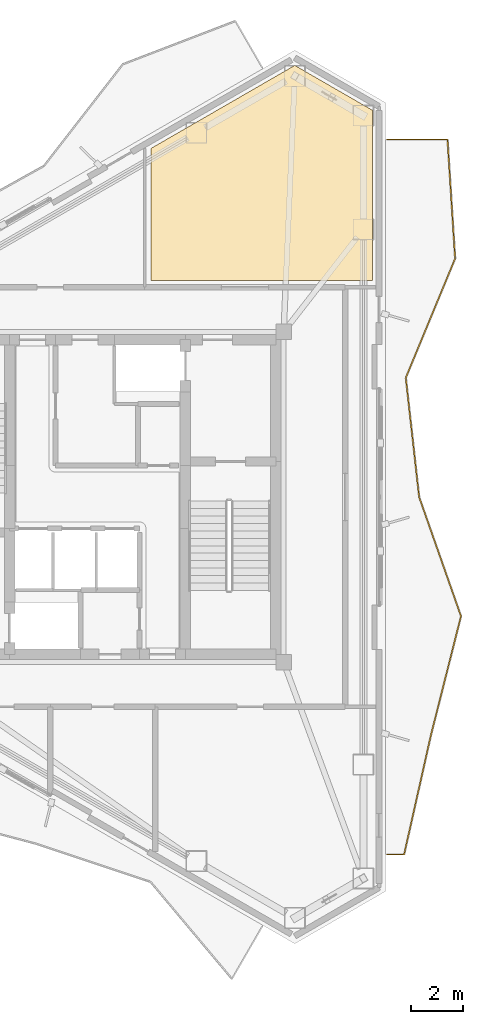
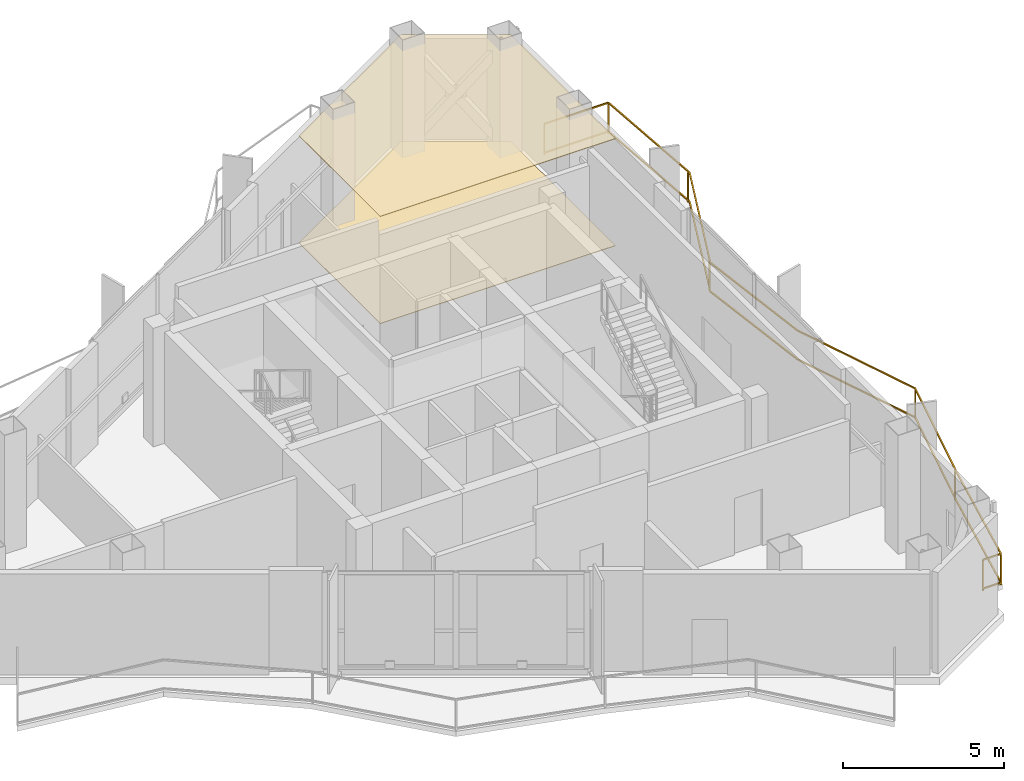
# One storey, part 14 of 14: 2 coverings, 1 railing.
"""IFC4 building model written with IfcOpenShell, lengths in metres."""

from ifc_helpers import new_model, si_unit, direction, frame, origin, origin_2d, place, context, subcontext, project, spatial, polyline, rectangle, outline, extrude, material, layer, layer_set, type_object, element, save


model = new_model("IFC4")

# Units and contexts
model_context = context("Model", 3, precision=1e-05, world=origin(), true_north=direction((0.0, 1.0)))
body_context = subcontext(model_context, "Body", "Model", "MODEL_VIEW")
ifc_project = project(units=[si_unit("LENGTHUNIT", "METRE"), si_unit("AREAUNIT", "SQUARE_METRE"), si_unit("VOLUMEUNIT", "CUBIC_METRE"), si_unit("PLANEANGLEUNIT", "RADIAN"), si_unit("MASSUNIT", "GRAM", prefix="KILO")], contexts=[model_context])

# Site, building, storey
site_placement = place(None, origin())
site = spatial("IfcSite", under=ifc_project, at=site_placement, CompositionType="ELEMENT")
building_placement = place(site_placement, origin())
building = spatial("IfcBuilding", under=site, at=building_placement, Name="Mersakhor Tower and Convention Hall", CompositionType="ELEMENT")
storey_placement = place(building_placement, frame((0.0, 0.0, 249.60009765625)))
storey = spatial("IfcBuildingStorey", under=building, at=storey_placement, Name="L70", CompositionType="ELEMENT", Elevation=249.60009765625)

# Coverings
ifc_material_1 = material(Name="Acoustic mineral-fibre suspended ceiling", Category="other")
ifc_layer_1 = layer(ifc_material_1, 0.02490234375)
ifc_layer_set_1 = layer_set([ifc_layer_1], Name="Acoustic mineral-fibre suspended ceiling")
covering_type_1 = type_object("IfcCoveringType", Name="COV-CLG-25", PredefinedType="CEILING", material=ifc_layer_set_1)
covering_1_placement = place(storey_placement, frame((0.0, 0.0, 4.059814453125)))
element("IfcCovering", 1, at=covering_1_placement, inside=storey, type_object=covering_type_1, Name="L70 Subtropical Palm Solarium Hall Acoustic Suspended Ceiling", PredefinedType="CEILING", context=body_context, shape_type="SweptSolid", body=[
    extrude(outline(polyline([(39.492919921875, 35.0), (31.050048828125, 35.0), (31.050048828125, 40.0498046875), (36.52490234375, 43.210205078125), (39.492919921875, 41.49755859375), (39.492919921875, 35.0)])), origin(), (0.0, 0.0, 1.0), 0.025146484375),
])
ifc_material_2 = material(Name="Polished porcelain tile flooring", Category="other")
ifc_layer_2 = layer(ifc_material_2, 0.02001953125)
ifc_layer_set_2 = layer_set([ifc_layer_2], Name="Polished porcelain tile flooring")
covering_type_2 = type_object("IfcCoveringType", Name="COV-FLR-20", PredefinedType="FLOORING", material=ifc_layer_set_2)
covering_2_placement = place(storey_placement, origin())
element("IfcCovering", 2, at=covering_2_placement, inside=storey, type_object=covering_type_2, Name="L70 Subtropical Palm Solarium Hall Porcelain Floor Finish", PredefinedType="FLOORING", context=body_context, shape_type="SweptSolid", body=[
    extrude(outline(polyline([(39.492919921875, 35.0), (31.050048828125, 35.0), (31.050048828125, 40.0498046875), (36.52490234375, 43.210205078125), (39.492919921875, 41.49755859375), (39.492919921875, 35.0)])), origin(), (0.0, 0.0, 1.0), 0.02001953125),
])

# Railing
ifc_material_3 = material(Name="Powder-coated galvanised steel and laminated glass balustrade", Category="steel")
railing_type = type_object("IfcRailingType", Name="RL-BAL-1200", PredefinedType="BALUSTRADE", material=ifc_material_3)
railing_placement = place(storey_placement, frame((40.042724609375, 13.114013671875, 0.0)))
element("IfcRailing", 3, at=railing_placement, inside=storey, type_object=railing_type, Name="L70 Sinusoidal Balcony Balustrade F2", PredefinedType="BALUSTRADE", context=body_context, shape_type="SweptSolid", body=[
    extrude(rectangle(XDim=0.048095703125, YDim=0.048095703125, at=origin_2d()), frame((0.0, 0.0, 1.17578125), z_axis=(1.0, 0.0, 0.0), x_axis=(0.0, 1.0, 0.0)), (0.0, 0.0, 1.0), 0.650146484375),
    extrude(rectangle(XDim=0.048095703125, YDim=0.048095703125, at=origin_2d()), frame((0.0, 0.0, 0.080078125), z_axis=(1.0, 0.0, 0.0), x_axis=(0.0, 1.0, 0.0)), (0.0, 0.0, 1.0), 0.650146484375),
    extrude(rectangle(XDim=0.048095703125, YDim=0.048095703125, at=origin_2d()), frame((0.650146484375, 0.0, 1.17578125), z_axis=(0.219221620107, 0.975675090016, 0.0), x_axis=(-0.975675090016, 0.219221620107, 0.0)), (0.0, 0.0, 1.0), 4.658447265625),
    extrude(rectangle(XDim=0.048095703125, YDim=0.048095703125, at=origin_2d()), frame((0.650146484375, 0.0, 0.080078125), z_axis=(0.219221620107, 0.975675090016, 0.0), x_axis=(-0.975675090016, 0.219221620107, 0.0)), (0.0, 0.0, 1.0), 4.658447265625),
    extrude(rectangle(XDim=0.048095703125, YDim=0.048095703125, at=origin_2d()), frame((1.67138671875, 4.545166015625, 1.17578125), z_axis=(0.245009899788, 0.969520576886, 0.0), x_axis=(-0.969520576886, 0.245009899788, 0.0)), (0.0, 0.0, 1.0), 4.688232421875),
    extrude(rectangle(XDim=0.048095703125, YDim=0.048095703125, at=origin_2d()), frame((1.67138671875, 4.545166015625, 0.080078125), z_axis=(0.245009899788, 0.969520576886, 0.0), x_axis=(-0.969520576886, 0.245009899788, 0.0)), (0.0, 0.0, 1.0), 4.688232421875),
    extrude(rectangle(XDim=0.048095703125, YDim=0.048095703125, at=origin_2d()), frame((2.820068359375, 9.090576171875, 1.17578125), z_axis=(-0.33137505091, 0.943499112684, 0.0), x_axis=(-0.943499112684, -0.33137505091, 0.0)), (0.0, 0.0, 1.0), 4.817626953125),
    extrude(rectangle(XDim=0.048095703125, YDim=0.048095703125, at=origin_2d()), frame((2.820068359375, 9.090576171875, 0.080078125), z_axis=(-0.33137505091, 0.943499112684, 0.0), x_axis=(-0.943499112684, -0.33137505091, 0.0)), (0.0, 0.0, 1.0), 4.817626953125),
    extrude(rectangle(XDim=0.048095703125, YDim=0.048095703125, at=origin_2d()), frame((1.2236328125, 13.635986328125, 1.17578125), z_axis=(-0.111345405852, 0.993781767088, 0.0), x_axis=(-0.993781767088, -0.111345405852, 0.0)), (0.0, 0.0, 1.0), 4.57373046875),
    extrude(rectangle(XDim=0.048095703125, YDim=0.048095703125, at=origin_2d()), frame((1.2236328125, 13.635986328125, 0.080078125), z_axis=(-0.111345405852, 0.993781767088, 0.0), x_axis=(-0.993781767088, -0.111345405852, 0.0)), (0.0, 0.0, 1.0), 4.57373046875),
    extrude(rectangle(XDim=0.048095703125, YDim=0.048095703125, at=origin_2d()), frame((0.71435546875, 18.181396484375, 1.17578125), z_axis=(0.382394166219, 0.923999297425, 0.0), x_axis=(-0.923999297425, 0.382394166219, 0.0)), (0.0, 0.0, 1.0), 4.919189453125),
    extrude(rectangle(XDim=0.048095703125, YDim=0.048095703125, at=origin_2d()), frame((0.71435546875, 18.181396484375, 0.080078125), z_axis=(0.382394166219, 0.923999297425, 0.0), x_axis=(-0.923999297425, 0.382394166219, 0.0)), (0.0, 0.0, 1.0), 4.919189453125),
    extrude(rectangle(XDim=0.048095703125, YDim=0.048095703125, at=origin_2d()), frame((2.595458984375, 22.726806640625, 1.17578125), z_axis=(-0.0637365032, 0.997966762052, 0.0), x_axis=(-0.997966762052, -0.0637365032, 0.0)), (0.0, 0.0, 1.0), 4.554443359375),
    extrude(rectangle(XDim=0.048095703125, YDim=0.048095703125, at=origin_2d()), frame((2.595458984375, 22.726806640625, 0.080078125), z_axis=(-0.0637365032, 0.997966762052, 0.0), x_axis=(-0.997966762052, -0.0637365032, 0.0)), (0.0, 0.0, 1.0), 4.554443359375),
    extrude(rectangle(XDim=0.048095703125, YDim=0.048095703125, at=origin_2d()), frame((2.30517578125, 27.27197265625, 1.17578125), z_axis=(-1.0, 0.0, 0.0), x_axis=(0.0, -1.0, 0.0)), (0.0, 0.0, 1.0), 2.30517578125),
    extrude(rectangle(XDim=0.048095703125, YDim=0.048095703125, at=origin_2d()), frame((2.30517578125, 27.27197265625, 0.080078125), z_axis=(-1.0, 0.0, 0.0), x_axis=(0.0, -1.0, 0.0)), (0.0, 0.0, 1.0), 2.30517578125),
    extrude(rectangle(XDim=0.0419921875, YDim=0.0419921875, at=origin_2d()), origin(), (0.0, 0.0, 1.0), 1.15185546875),
    extrude(rectangle(XDim=0.0419921875, YDim=0.0419921875, at=origin_2d()), frame((0.650146484375, 0.0, 0.0)), (0.0, 0.0, 1.0), 1.15185546875),
    extrude(rectangle(XDim=0.0419921875, YDim=0.0419921875, at=origin_2d()), frame((1.7060546875, 4.682373046875, 0.0)), (0.0, 0.0, 1.0), 1.15185546875),
    extrude(rectangle(XDim=0.0419921875, YDim=0.0419921875, at=origin_2d()), frame((2.820068359375, 9.090576171875, 0.0)), (0.0, 0.0, 1.0), 1.15185546875),
    extrude(rectangle(XDim=0.0419921875, YDim=0.0419921875, at=origin_2d()), frame((0.794189453125, 18.3740234375, 0.0)), (0.0, 0.0, 1.0), 1.15185546875),
    extrude(rectangle(XDim=0.0419921875, YDim=0.0419921875, at=origin_2d()), frame((2.58984375, 22.81591796875, 0.0)), (0.0, 0.0, 1.0), 1.15185546875),
    extrude(rectangle(XDim=0.0419921875, YDim=0.0419921875, at=origin_2d()), frame((2.30517578125, 27.27197265625, 0.0)), (0.0, 0.0, 1.0), 1.15185546875),
    extrude(rectangle(XDim=0.0419921875, YDim=0.0419921875, at=origin_2d()), frame((0.0, 27.27197265625, 0.0)), (0.0, 0.0, 1.0), 1.15185546875),
])

save(model, "model.ifc")
